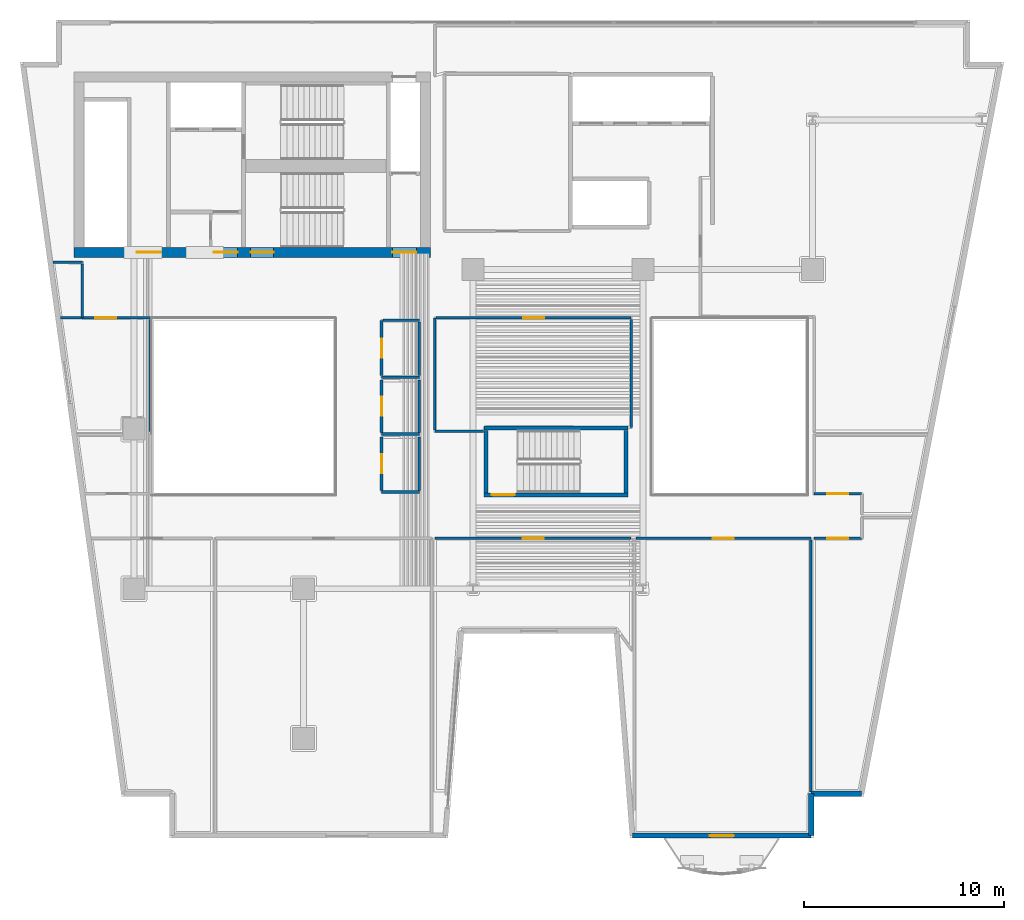
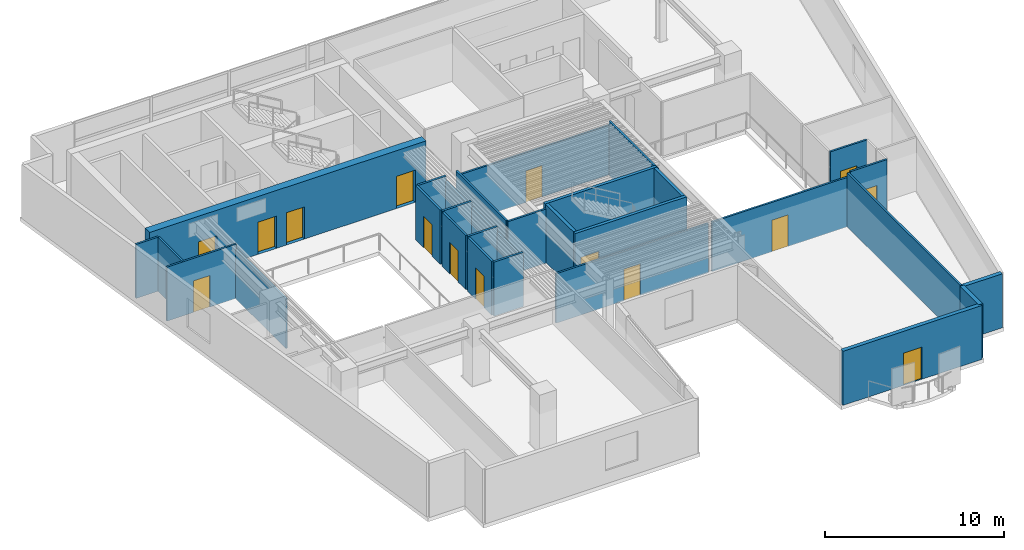
# One storey, part 6 of 13: 31 walls, 15 doors, 15 openings.
"""IFC4 building model written with IfcOpenShell, lengths in metres."""

import ifcopenshell
import ifcopenshell.guid

model = None  # the IFC model being written
_history = None  # IfcOwnerHistory: only IFC2X3 demands one
_inside = {}  # id of a spatial element -> (the spatial element, [elements in it])
_under = {}  # id of a project, library or spatial element -> (it, [spatial elements below it])
_declared = {}  # id of a project -> (the project, [libraries it declares])
_typed = {}  # id of a type object -> (the type object, [elements of that type])
_made_of = {}  # id of a material, layer set ... -> (it, [elements and type objects made of it])


def new_model(schema):
    """Start an empty IFC model of exactly this schema.

    Asked for "IFC4X3", IfcOpenShell would pick the latest addendum, in which some entities
    have other attributes; the version numbers below select the first issue.
    IFC2X3 requires an IfcOwnerHistory on every rooted entity: one is made here for all.
    """
    global model, _history
    if schema == "IFC4X3":
        model = ifcopenshell.file(schema_version=(4, 3, 0, 0))
    else:
        model = ifcopenshell.file(schema=schema)
    _inside.clear()
    _under.clear()
    _declared.clear()
    _typed.clear()
    _made_of.clear()
    _history = None
    if model.schema == "IFC2X3":
        org = make("IfcOrganization", Name="unknown")
        user = make(
            "IfcPersonAndOrganization",
            ThePerson=make("IfcPerson", FamilyName="unknown"),
            TheOrganization=org,
        )
        app = make(
            "IfcApplication",
            ApplicationDeveloper=org,
            Version="unknown",
            ApplicationFullName="unknown",
            ApplicationIdentifier="unknown",
        )
        _history = make(
            "IfcOwnerHistory",
            OwningUser=user,
            OwningApplication=app,
            ChangeAction="ADDED",
            CreationDate=0,
        )
    return model


def make(cls, **values):
    """One entity of the class cls with the attributes given. An attribute that is None is left unset."""
    return model.create_entity(
        cls, **{name: value for name, value in values.items() if value is not None}
    )


def rooted(cls, **values):
    """An entity with a GlobalId (a new one), such as an element, a storey or a relation."""
    return make(cls, GlobalId=ifcopenshell.guid.new(), OwnerHistory=_history, **values)


def si_unit(unit_type, name, prefix=None):
    """IfcSIUnit, for example si_unit("LENGTHUNIT", "METRE", prefix="MILLI")."""
    return make("IfcSIUnit", UnitType=unit_type, Prefix=prefix, Name=name)


def assignment(units):
    """IfcUnitAssignment: the units of a project."""
    return None if units is None else make("IfcUnitAssignment", Units=units)


def point(xyz):
    """IfcCartesianPoint."""
    return None if xyz is None else make("IfcCartesianPoint", Coordinates=xyz)


def direction(xyz):
    """IfcDirection."""
    return None if xyz is None else make("IfcDirection", DirectionRatios=xyz)


def frame(location, z_axis=None, x_axis=None):
    """IfcAxis2Placement3D, a coordinate frame: its origin and axes. An axis left out is left unset."""
    return make(
        "IfcAxis2Placement3D",
        Location=point(location),
        Axis=direction(z_axis),
        RefDirection=direction(x_axis),
    )


def frame_2d(location, x_axis=None):
    """IfcAxis2Placement2D, a coordinate frame in the plane: its origin and x axis."""
    return make(
        "IfcAxis2Placement2D", Location=point(location), RefDirection=direction(x_axis)
    )


def origin():
    """The frame at (0, 0, 0) with its axes left unset."""
    return frame((0.0, 0.0, 0.0))


def place(relative_to, where):
    """IfcLocalPlacement: puts the frame where relative to a parent placement (None: the world)."""
    return make(
        "IfcLocalPlacement", PlacementRelTo=relative_to, RelativePlacement=where
    )


def context(
    kind, dimensions, precision=None, world=None, true_north=None, identifier=None
):
    """IfcGeometricRepresentationContext, for example the 3D "Model" context."""
    return make(
        "IfcGeometricRepresentationContext",
        ContextIdentifier=identifier,
        ContextType=kind,
        CoordinateSpaceDimension=dimensions,
        Precision=precision,
        WorldCoordinateSystem=world,
        TrueNorth=true_north,
    )


def subcontext(parent, identifier, kind, view, scale=None):
    """IfcGeometricRepresentationSubContext, for example "Body" below "Model"."""
    return make(
        "IfcGeometricRepresentationSubContext",
        ContextIdentifier=identifier,
        ContextType=kind,
        ParentContext=parent,
        TargetScale=scale,
        TargetView=view,
    )


def project(units=None, contexts=None):
    """IfcProject with its units and contexts."""
    return rooted(
        "IfcProject",
        Name="project",
        RepresentationContexts=contexts,
        UnitsInContext=assignment(units),
    )


def spatial(cls, under=None, at=None, **own):
    """A site, building, storey or space (cls), placed at a placement, below another one or the project."""
    s = rooted(cls, ObjectPlacement=at, **own)
    if under is not None:
        _under.setdefault(under.id(), (under, []))[1].append(s)
    return s


def profile(cls, at=None, kind="AREA", **sizes):
    """A parametric profile (cls). Its sizes go by their IFC names, for example OverallWidth=200.0."""
    return make(cls, ProfileType=kind, Position=at, **sizes)


def rectangle(**sizes):
    """IfcRectangleProfileDef."""
    return profile("IfcRectangleProfileDef", **sizes)


def extrude(swept, where, along, depth):
    """IfcExtrudedAreaSolid: the profile swept, set in the frame where, extruded along a direction by depth."""
    return make(
        "IfcExtrudedAreaSolid",
        SweptArea=swept,
        Position=where,
        ExtrudedDirection=direction(along),
        Depth=depth,
    )


def shape(context_of_items, identifier, shape_type, items):
    """IfcShapeRepresentation: the items that make up one representation, for example the "Body"."""
    return make(
        "IfcShapeRepresentation",
        ContextOfItems=context_of_items,
        RepresentationIdentifier=identifier,
        RepresentationType=shape_type,
        Items=items,
    )


def material(Name=None, Category=None):
    """IfcMaterial."""
    return make("IfcMaterial", Name=Name, Category=Category)


def layer(
    of_material, thickness, ventilated=None, Name=None, Category=None, Priority=None
):
    """IfcMaterialLayer: one layer of a wall or slab, of a material (None: an air gap)."""
    return make(
        "IfcMaterialLayer",
        Material=of_material,
        LayerThickness=thickness,
        IsVentilated=ventilated,
        Name=Name,
        Category=Category,
        Priority=Priority,
    )


def layer_set(layers, Name=None):
    """IfcMaterialLayerSet."""
    return make("IfcMaterialLayerSet", MaterialLayers=layers, LayerSetName=Name)


def made_of(thing, what):
    """Note that an element or type object is made of a material, layer set ...; save() writes the relation."""
    if what is not None:
        _made_of.setdefault(what.id(), (what, []))[1].append(thing)
    return thing


def type_object(cls, material=None, **own):
    """A type object (cls), such as IfcWallType, which elements share."""
    return made_of(rooted(cls, **own), material)


def element(
    cls,
    number,
    at=None,
    inside=None,
    cuts=None,
    type_object=None,
    material=None,
    context=None,
    identifier="Body",
    shape_type=None,
    held_by="IfcProductDefinitionShape",
    body=None,
    shapes=None,
    **own,
):
    """One element of the class cls, such as IfcWall. Its Tag is "e" and its number.

    at: its placement. inside: the storey or other place that contains it. cuts: it is an
    opening in that element (IfcRelVoidsElement). A single representation is given by context,
    identifier, shape_type and body (its items); several are given by shapes. held_by: the class
    of the entity that holds the representations. save() writes the other relations.
    """
    e = rooted(cls, Tag="e%d" % number, ObjectPlacement=at, **own)
    if body is not None:
        shapes = [shape(context, identifier, shape_type, body)]
    if shapes is not None:
        e.Representation = make(held_by, Representations=shapes)
    if inside is not None:
        _inside.setdefault(inside.id(), (inside, []))[1].append(e)
    if cuts is not None:
        rooted(
            "IfcRelVoidsElement", RelatingBuildingElement=cuts, RelatedOpeningElement=e
        )
    if type_object is not None:
        _typed.setdefault(type_object.id(), (type_object, []))[1].append(e)
    return made_of(e, material)


def fill(opening, filler):
    """IfcRelFillsElement: the door or window that sits in an opening."""
    return rooted(
        "IfcRelFillsElement",
        RelatingOpeningElement=opening,
        RelatedBuildingElement=filler,
    )


def aggregate(whole, parts):
    """IfcRelAggregates: a whole, such as a stair, and the parts it consists of."""
    return rooted("IfcRelAggregates", RelatingObject=whole, RelatedObjects=parts)


def save(model, path):
    """Write the relations noted so far, then the file.

    IfcRelAggregates (storeys below a building ...), IfcRelContainedInSpatialStructure (elements
    in a storey), IfcRelDefinesByType, IfcRelAssociatesMaterial and IfcRelDeclares: one each for
    every whole, place, type object, material and project.
    """
    for whole, parts in _under.values():
        aggregate(whole, parts)
    for where, things in _inside.values():
        rooted(
            "IfcRelContainedInSpatialStructure",
            RelatedElements=things,
            RelatingStructure=where,
        )
    for kind, things in _typed.values():
        rooted("IfcRelDefinesByType", RelatedObjects=things, RelatingType=kind)
    for what, things in _made_of.values():
        rooted("IfcRelAssociatesMaterial", RelatedObjects=things, RelatingMaterial=what)
    for by, libraries in _declared.values():
        rooted("IfcRelDeclares", RelatingContext=by, RelatedDefinitions=libraries)
    model.write(path)


model = new_model("IFC4")

# Units and contexts
model_context = context("Model", 3, precision=1e-05, world=origin(), true_north=direction((0.0, 1.0)))
body_context = subcontext(model_context, "Body", "Model", "MODEL_VIEW")
ifc_project = project(units=[si_unit("LENGTHUNIT", "METRE"), si_unit("AREAUNIT", "SQUARE_METRE"), si_unit("VOLUMEUNIT", "CUBIC_METRE"), si_unit("PLANEANGLEUNIT", "RADIAN"), si_unit("MASSUNIT", "GRAM", prefix="KILO")], contexts=[model_context])

# Site, building, storey
site_placement = place(None, origin())
site = spatial("IfcSite", under=ifc_project, at=site_placement, CompositionType="ELEMENT")
building_placement = place(site_placement, origin())
building = spatial("IfcBuilding", under=site, at=building_placement, Name="Caeloran Harvest Quay", CompositionType="ELEMENT")
storey_placement = place(building_placement, frame((0.0, 0.0, 131.14990234375)))
storey = spatial("IfcBuildingStorey", under=building, at=storey_placement, Name="L30", CompositionType="ELEMENT", Elevation=131.14990234375)

# Walls
ifc_material_1 = material(Name="Precast concrete C50/60", Category="concrete")
ifc_layer_1 = layer(ifc_material_1, 0.260009765625, Name="Precast concrete C50/60")
ifc_layer_set_1 = layer_set([ifc_layer_1], Name="Precast concrete C50/60")
wall_type_1 = type_object("IfcWallType", Name="ENV-WALL-EW-260", PredefinedType="STANDARD", material=ifc_layer_set_1)
wall_1_placement = place(storey_placement, frame((44.96337890625, 4.72998046875, 0.0), z_axis=(0.0, 0.0, 1.0), x_axis=(-1.0, 0.0, 0.0)))
element("IfcWall", 1, at=wall_1_placement, inside=storey, type_object=wall_type_1, Name="L30 Exterior Precast Concrete Facade Wall 10", PredefinedType="STANDARD", context=body_context, shape_type="SweptSolid", body=[
    extrude(rectangle(XDim=2.5234375, YDim=0.260009765625, at=frame_2d((1.26171875, 0.0))), origin(), (0.0, 0.0, 1.0), 3.690185546875),
])
wall_2_placement = place(storey_placement, frame((42.43994140625, 4.72998046875, 0.0), z_axis=(0.0, 0.0, 1.0), x_axis=(0.0, -1.0, 0.0)))
element("IfcWall", 2, at=wall_2_placement, inside=storey, type_object=wall_type_1, Name="L30 Exterior Precast Concrete Facade Wall 11", PredefinedType="STANDARD", context=body_context, shape_type="SweptSolid", body=[
    extrude(rectangle(XDim=2.10009765625, YDim=0.260009765625, at=frame_2d((1.050048828125, 0.0))), origin(), (0.0, 0.0, 1.0), 3.690185546875),
])

# Wall, opening, door
wall_3_placement = place(storey_placement, frame((42.43994140625, 2.6298828125, 0.0), z_axis=(0.0, 0.0, 1.0), x_axis=(-1.0, 0.0, 0.0)))
wall_3 = element("IfcWall", 3, at=wall_3_placement, inside=storey, type_object=wall_type_1, Name="L30 Exterior Precast Concrete Facade Wall 12", PredefinedType="STANDARD", context=body_context, shape_type="SweptSolid", body=[
    extrude(rectangle(XDim=8.96484375, YDim=0.260009765625, at=frame_2d((4.482421875, 0.0))), origin(), (0.0, 0.0, 1.0), 3.690185546875),
])
opening_1_placement = place(wall_3_placement, frame((3.882080078125, 0.0, 0.0)))
opening_1 = element("IfcOpeningElement", 4, at=opening_1_placement, cuts=wall_3, Name="Opening BD-01", PredefinedType="OPENING", context=body_context, shape_type="SweptSolid", body=[
    extrude(rectangle(XDim=1.199951171875, YDim=2.199951171875, at=frame_2d((0.60009765625, 1.10009765625))), frame((0.0, 0.14013671875, 0.0), z_axis=(0.0, -1.0, 0.0), x_axis=(1.0, 0.0, 0.0)), (0.0, 0.0, 1.0), 0.280029296875),
])
ifc_material_2 = material(Name="Thermally Broken Powder-Coated Aluminium and Safety Glass", Category="aluminium")
door_type_1 = type_object("IfcDoorType", Name="EXTDOOR-BD-01", OperationType="NOTDEFINED", PredefinedType="DOOR", material=ifc_material_2)
door_1_placement = place(opening_1_placement, origin())
door_1 = element("IfcDoor", 5, at=door_1_placement, inside=storey, type_object=door_type_1, Name="L30 Planted Balcony Glazed Access Door", OperationType="SINGLE_SWING_LEFT", OverallHeight=2.199951171875, OverallWidth=1.199951171875, PredefinedType="DOOR", context=body_context, shape_type="SweptSolid", body=[
    extrude(rectangle(XDim=1.199951171875, YDim=2.199951171875, at=frame_2d((0.60009765625, 1.10009765625))), frame((0.0, 0.02490234375, 0.0), z_axis=(0.0, -1.0, 0.0), x_axis=(1.0, 0.0, 0.0)), (0.0, 0.0, 1.0), 0.050048828125),
])
fill(opening_1, door_1)

ifc_material_3 = material(Name="Twin-Stud Mineral-Wool Acoustic Gypsum Partition", Category="gypsum")
ifc_layer_2 = layer(ifc_material_3, 0.125, Name="Twin-Stud Mineral-Wool Acoustic Gypsum Partition")
ifc_layer_set_2 = layer_set([ifc_layer_2], Name="Twin-Stud Mineral-Wool Acoustic Gypsum Partition")
wall_type_2 = type_object("IfcWallType", Name="INT-WALL-PW-125", PredefinedType="PARTITIONING", material=ifc_layer_set_2)
wall_4_placement = place(storey_placement, frame((33.6474609375, 17.52001953125, 0.0), z_axis=(0.0, 0.0, 1.0), x_axis=(1.0, 0.0, 0.0)))
wall_4 = element("IfcWall", 6, at=wall_4_placement, inside=storey, type_object=wall_type_2, Name="Controlled-Climate Simulation Lab Partition Wall", PredefinedType="PARTITIONING", context=body_context, shape_type="SweptSolid", body=[
    extrude(rectangle(XDim=8.7724609375, YDim=0.125, at=frame_2d((4.38623046875, 0.0))), origin(), (0.0, 0.0, 1.0), 3.375),
])
opening_2_placement = place(wall_4_placement, frame((3.861328125, 0.0, 0.0)))
opening_2 = element("IfcOpeningElement", 7, at=opening_2_placement, cuts=wall_4, Name="Opening ID-03", PredefinedType="OPENING", context=body_context, shape_type="SweptSolid", body=[
    extrude(rectangle(XDim=1.050048828125, YDim=2.14990234375, at=frame_2d((0.52490234375, 1.074951171875))), frame((0.0, 0.072509765625, 0.0), z_axis=(0.0, -1.0, 0.0), x_axis=(1.0, 0.0, 0.0)), (0.0, 0.0, 1.0), 0.14501953125),
])
ifc_material_4 = material(Name="FSC Solid-Core Oak Timber Leaf", Category="wood")
door_type_2 = type_object("IfcDoorType", Name="INTDOOR-ID-03", OperationType="NOTDEFINED", PredefinedType="DOOR", material=ifc_material_4)
door_2_placement = place(opening_2_placement, origin())
door_2 = element("IfcDoor", 8, at=door_2_placement, inside=storey, type_object=door_type_2, Name="Controlled-Climate Simulation Lab Access Door", OperationType="SINGLE_SWING_RIGHT", OverallHeight=2.14990234375, OverallWidth=1.050048828125, PredefinedType="DOOR", context=body_context, shape_type="SweptSolid", body=[
    extrude(rectangle(XDim=1.050048828125, YDim=2.14990234375, at=frame_2d((0.52490234375, 1.074951171875))), frame((0.0, 0.02490234375, 0.0), z_axis=(0.0, -1.0, 0.0), x_axis=(1.0, 0.0, 0.0)), (0.0, 0.0, 1.0), 0.050048828125),
])
fill(opening_2, door_2)

# Wall
wall_5_placement = place(storey_placement, frame((42.419921875, 17.452392578125, 0.0), z_axis=(0.0, 0.0, 1.0), x_axis=(0.0, -1.0, 0.0)))
element("IfcWall", 9, at=wall_5_placement, inside=storey, type_object=wall_type_2, Name="Controlled-Climate Simulation Lab Partition Wall", PredefinedType="PARTITIONING", context=body_context, shape_type="SweptSolid", body=[
    extrude(rectangle(XDim=12.64794921875, YDim=0.125, at=frame_2d((6.323974609375, 0.0))), origin(), (0.0, 0.0, 1.0), 3.690185546875),
])

# Wall, opening, door
wall_6_placement = place(storey_placement, frame((42.580078125, 17.52001953125, 0.0), z_axis=(0.0, 0.0, 1.0), x_axis=(1.0, 0.0, 0.0)))
wall_6 = element("IfcWall", 10, at=wall_6_placement, inside=storey, type_object=wall_type_2, Name="Bio-Security Compliance Office Partition Wall", PredefinedType="PARTITIONING", context=body_context, shape_type="SweptSolid", body=[
    extrude(rectangle(XDim=2.369873046875, YDim=0.125, at=frame_2d((1.18505859375, 0.0))), origin(), (0.0, 0.0, 1.0), 3.690185546875),
])
opening_3_placement = place(wall_6_placement, frame((0.659912109375, 0.0, 0.0)))
opening_3 = element("IfcOpeningElement", 11, at=opening_3_placement, cuts=wall_6, Name="Opening ID-03", PredefinedType="OPENING", context=body_context, shape_type="SweptSolid", body=[
    extrude(rectangle(XDim=1.050048828125, YDim=2.14990234375, at=frame_2d((0.52490234375, 1.074951171875))), frame((0.0, 0.072509765625, 0.0), z_axis=(0.0, -1.0, 0.0), x_axis=(1.0, 0.0, 0.0)), (0.0, 0.0, 1.0), 0.14501953125),
])
door_3_placement = place(opening_3_placement, origin())
door_3 = element("IfcDoor", 12, at=door_3_placement, inside=storey, type_object=door_type_2, Name="Bio-Security Compliance Office Access Door", OperationType="SINGLE_SWING_RIGHT", OverallHeight=2.14990234375, OverallWidth=1.050048828125, PredefinedType="DOOR", context=body_context, shape_type="SweptSolid", body=[
    extrude(rectangle(XDim=1.050048828125, YDim=2.14990234375, at=frame_2d((0.52490234375, 1.074951171875))), frame((0.0, 0.02490234375, 0.0), z_axis=(0.0, -1.0, 0.0), x_axis=(1.0, 0.0, 0.0)), (0.0, 0.0, 1.0), 0.050048828125),
])
fill(opening_3, door_3)

wall_7_placement = place(storey_placement, frame((23.580078125, 17.52001953125, 0.0), z_axis=(0.0, 0.0, 1.0), x_axis=(1.0, 0.0, 0.0)))
wall_7 = element("IfcWall", 13, at=wall_7_placement, inside=storey, type_object=wall_type_2, Name="Boardroom and Client Briefing Room Partition Wall", PredefinedType="PARTITIONING", context=body_context, shape_type="SweptSolid", body=[
    extrude(rectangle(XDim=9.83984375, YDim=0.125, at=frame_2d((4.919921875, 0.0))), origin(), (0.0, 0.0, 1.0), 3.375),
])
opening_4_placement = place(wall_7_placement, frame((4.39501953125, 0.0, 0.0)))
opening_4 = element("IfcOpeningElement", 14, at=opening_4_placement, cuts=wall_7, Name="Opening ID-03", PredefinedType="OPENING", context=body_context, shape_type="SweptSolid", body=[
    extrude(rectangle(XDim=1.050048828125, YDim=2.14990234375, at=frame_2d((0.52490234375, 1.074951171875))), frame((0.0, 0.072509765625, 0.0), z_axis=(0.0, -1.0, 0.0), x_axis=(1.0, 0.0, 0.0)), (0.0, 0.0, 1.0), 0.14501953125),
])
door_4_placement = place(opening_4_placement, origin())
door_4 = element("IfcDoor", 15, at=door_4_placement, inside=storey, type_object=door_type_2, Name="Boardroom and Client Briefing Room Access Door", OperationType="SINGLE_SWING_LEFT", OverallHeight=2.14990234375, OverallWidth=1.050048828125, PredefinedType="DOOR", context=body_context, shape_type="SweptSolid", body=[
    extrude(rectangle(XDim=1.050048828125, YDim=2.14990234375, at=frame_2d((0.52490234375, 1.074951171875))), frame((0.0, 0.02490234375, 0.0), z_axis=(0.0, -1.0, 0.0), x_axis=(1.0, 0.0, 0.0)), (0.0, 0.0, 1.0), 0.050048828125),
])
fill(opening_4, door_4)

wall_8_placement = place(storey_placement, frame((44.949951171875, 19.75, 0.0), z_axis=(0.0, 0.0, 1.0), x_axis=(-1.0, 0.0, 0.0)))
wall_8 = element("IfcWall", 16, at=wall_8_placement, inside=storey, type_object=wall_type_2, Name="Research Library Study Room Partition Wall", PredefinedType="PARTITIONING", context=body_context, shape_type="SweptSolid", body=[
    extrude(rectangle(XDim=2.369873046875, YDim=0.125, at=frame_2d((1.18505859375, 0.0))), origin(), (0.0, 0.0, 1.0), 3.690185546875),
])
opening_5_placement = place(wall_8_placement, frame((0.659912109375, 0.0, 0.0)))
opening_5 = element("IfcOpeningElement", 17, at=opening_5_placement, cuts=wall_8, Name="Opening ID-03", PredefinedType="OPENING", context=body_context, shape_type="SweptSolid", body=[
    extrude(rectangle(XDim=1.050048828125, YDim=2.14990234375, at=frame_2d((0.52490234375, 1.074951171875))), frame((0.0, 0.072509765625, 0.0), z_axis=(0.0, -1.0, 0.0), x_axis=(1.0, 0.0, 0.0)), (0.0, 0.0, 1.0), 0.14501953125),
])
door_5_placement = place(opening_5_placement, origin())
door_5 = element("IfcDoor", 18, at=door_5_placement, inside=storey, type_object=door_type_2, Name="Research Library Study Room Access Door", OperationType="SINGLE_SWING_RIGHT", OverallHeight=2.14990234375, OverallWidth=1.050048828125, PredefinedType="DOOR", context=body_context, shape_type="SweptSolid", body=[
    extrude(rectangle(XDim=1.050048828125, YDim=2.14990234375, at=frame_2d((0.52490234375, 1.074951171875))), frame((0.0, 0.02490234375, 0.0), z_axis=(0.0, -1.0, 0.0), x_axis=(1.0, 0.0, 0.0)), (0.0, 0.0, 1.0), 0.050048828125),
])
fill(opening_5, door_5)

# Walls
wall_9_placement = place(storey_placement, frame((26.02490234375, 22.8798828125, 0.0), z_axis=(0.0, 0.0, 1.0), x_axis=(-1.0, 0.0, 0.0)))
element("IfcWall", 19, at=wall_9_placement, inside=storey, type_object=wall_type_2, Name="Server Rack Laboratory Partition Wall", PredefinedType="PARTITIONING", context=body_context, shape_type="SweptSolid", body=[
    extrude(rectangle(XDim=2.44482421875, YDim=0.125, at=frame_2d((1.222412109375, 0.0))), origin(), (0.0, 0.0, 1.0), 3.690185546875),
])
wall_10_placement = place(storey_placement, frame((23.580078125, 22.947509765625, 0.0), z_axis=(0.0, 0.0, 1.0), x_axis=(0.0, 1.0, 0.0)))
element("IfcWall", 20, at=wall_10_placement, inside=storey, type_object=wall_type_2, Name="Server Rack Laboratory Partition Wall", PredefinedType="PARTITIONING", context=body_context, shape_type="SweptSolid", body=[
    extrude(rectangle(XDim=5.62255859375, YDim=0.125, at=frame_2d((2.811279296875, 0.0))), origin(), (0.0, 0.0, 1.0), 3.690185546875),
])

# Wall, opening, door
wall_11_placement = place(storey_placement, frame((23.6474609375, 28.570068359375, 0.0), z_axis=(0.0, 0.0, 1.0), x_axis=(1.0, 0.0, 0.0)))
wall_11 = element("IfcWall", 21, at=wall_11_placement, inside=storey, type_object=wall_type_2, Name="Server Rack Laboratory Partition Wall", PredefinedType="PARTITIONING", context=body_context, shape_type="SweptSolid", body=[
    extrude(rectangle(XDim=9.7724609375, YDim=0.125, at=frame_2d((4.88623046875, 0.0))), origin(), (0.0, 0.0, 1.0), 3.375),
])
opening_6_placement = place(wall_11_placement, frame((4.361328125, 0.0, 0.0)))
opening_6 = element("IfcOpeningElement", 22, at=opening_6_placement, cuts=wall_11, Name="Opening ID-03", PredefinedType="OPENING", context=body_context, shape_type="SweptSolid", body=[
    extrude(rectangle(XDim=1.050048828125, YDim=2.14990234375, at=frame_2d((0.52490234375, 1.074951171875))), frame((0.0, 0.072509765625, 0.0), z_axis=(0.0, -1.0, 0.0), x_axis=(1.0, 0.0, 0.0)), (0.0, 0.0, 1.0), 0.14501953125),
])
door_6_placement = place(opening_6_placement, origin())
door_6 = element("IfcDoor", 23, at=door_6_placement, inside=storey, type_object=door_type_2, Name="Server Rack Laboratory Access Door", OperationType="SINGLE_SWING_RIGHT", OverallHeight=2.14990234375, OverallWidth=1.050048828125, PredefinedType="DOOR", context=body_context, shape_type="SweptSolid", body=[
    extrude(rectangle(XDim=1.050048828125, YDim=2.14990234375, at=frame_2d((0.52490234375, 1.074951171875))), frame((0.0, 0.02490234375, 0.0), z_axis=(0.0, -1.0, 0.0), x_axis=(1.0, 0.0, 0.0)), (0.0, 0.0, 1.0), 0.050048828125),
])
fill(opening_6, door_6)

# Walls
wall_12_placement = place(storey_placement, frame((33.419921875, 28.50244140625, 0.0), z_axis=(0.0, 0.0, 1.0), x_axis=(0.0, -1.0, 0.0)))
element("IfcWall", 24, at=wall_12_placement, inside=storey, type_object=wall_type_2, Name="Server Rack Laboratory Partition Wall", PredefinedType="PARTITIONING", context=body_context, shape_type="SweptSolid", body=[
    extrude(rectangle(XDim=5.42236328125, YDim=0.125, at=frame_2d((2.711181640625, 0.0))), origin(), (0.0, 0.0, 1.0), 3.690185546875),
])
wall_13_placement = place(storey_placement, frame((4.44775390625, 31.35009765625, 0.0), z_axis=(0.0, 0.0, 1.0), x_axis=(1.0, 0.0, 0.0)))
element("IfcWall", 25, at=wall_13_placement, inside=storey, type_object=wall_type_2, Name="Precision Agriculture Engineering Office 9 Partition Wall", PredefinedType="PARTITIONING", context=body_context, shape_type="SweptSolid", body=[
    extrude(rectangle(XDim=1.47216796875, YDim=0.125, at=frame_2d((0.736083984375, 0.0))), origin(), (0.0, 0.0, 1.0), 3.690185546875),
])
wall_14_placement = place(storey_placement, frame((5.919921875, 31.282470703125, 0.0), z_axis=(0.0, 0.0, 1.0), x_axis=(0.0, -1.0, 0.0)))
element("IfcWall", 26, at=wall_14_placement, inside=storey, type_object=wall_type_2, Name="Precision Agriculture Engineering Office 9 Partition Wall", PredefinedType="PARTITIONING", context=body_context, shape_type="SweptSolid", body=[
    extrude(rectangle(XDim=2.682373046875, YDim=0.125, at=frame_2d((1.34130859375, 0.0))), origin(), (0.0, 0.0, 1.0), 3.690185546875),
])

# Wall, opening, door
wall_15_placement = place(storey_placement, frame((4.832275390625, 28.570068359375, 0.0), z_axis=(0.0, 0.0, 1.0), x_axis=(1.0, 0.0, 0.0)))
wall_15 = element("IfcWall", 27, at=wall_15_placement, inside=storey, type_object=wall_type_2, Name="Precision Agriculture Engineering Office 9 Partition Wall", PredefinedType="PARTITIONING", context=body_context, shape_type="SweptSolid", body=[
    extrude(rectangle(XDim=4.48779296875, YDim=0.125, at=frame_2d((2.243896484375, 0.0))), origin(), (0.0, 0.0, 1.0), 3.690185546875),
])
opening_7_placement = place(wall_15_placement, frame((1.718994140625, 0.0, 0.0)))
opening_7 = element("IfcOpeningElement", 28, at=opening_7_placement, cuts=wall_15, Name="Opening ID-03", PredefinedType="OPENING", context=body_context, shape_type="SweptSolid", body=[
    extrude(rectangle(XDim=1.050048828125, YDim=2.14990234375, at=frame_2d((0.52490234375, 1.074951171875))), frame((0.0, 0.072509765625, 0.0), z_axis=(0.0, -1.0, 0.0), x_axis=(1.0, 0.0, 0.0)), (0.0, 0.0, 1.0), 0.14501953125),
])
door_7_placement = place(opening_7_placement, origin())
door_7 = element("IfcDoor", 29, at=door_7_placement, inside=storey, type_object=door_type_2, Name="Precision Agriculture Engineering Office 9 Access Door", OperationType="SINGLE_SWING_LEFT", OverallHeight=2.14990234375, OverallWidth=1.050048828125, PredefinedType="DOOR", context=body_context, shape_type="SweptSolid", body=[
    extrude(rectangle(XDim=1.050048828125, YDim=2.14990234375, at=frame_2d((0.52490234375, 1.074951171875))), frame((0.0, 0.02490234375, 0.0), z_axis=(0.0, -1.0, 0.0), x_axis=(1.0, 0.0, 0.0)), (0.0, 0.0, 1.0), 0.050048828125),
])
fill(opening_7, door_7)

# Walls
wall_16_placement = place(storey_placement, frame((9.320068359375, 28.50244140625, 0.0), z_axis=(0.0, 0.0, 1.0), x_axis=(0.0, -1.0, 0.0)))
element("IfcWall", 30, at=wall_16_placement, inside=storey, type_object=wall_type_2, Name="Precision Agriculture Engineering Office 9 Partition Wall", PredefinedType="PARTITIONING", context=body_context, shape_type="SweptSolid", body=[
    extrude(rectangle(XDim=5.62255859375, YDim=0.125, at=frame_2d((2.811279296875, 0.0))), origin(), (0.0, 0.0, 1.0), 3.375),
])
ifc_material_5 = material(Name="Moisture-Resistant Cement-Board Sanitary Partition", Category="gypsum")
ifc_layer_3 = layer(ifc_material_5, 0.139892578125, Name="Moisture-Resistant Cement-Board Sanitary Partition")
ifc_layer_set_3 = layer_set([ifc_layer_3], Name="Moisture-Resistant Cement-Board Sanitary Partition")
wall_type_3 = type_object("IfcWallType", Name="INT-WALL-PW-140", PredefinedType="PARTITIONING", material=ifc_layer_set_3)
wall_17_placement = place(storey_placement, frame((22.800048828125, 25.60009765625, 0.0), z_axis=(0.0, 0.0, 1.0), x_axis=(-1.0, 0.0, 0.0)))
element("IfcWall", 31, at=wall_17_placement, inside=storey, type_object=wall_type_3, Name="L30 Male Washroom WC Partition Wall", PredefinedType="PARTITIONING", context=body_context, shape_type="SweptSolid", body=[
    extrude(rectangle(XDim=1.89013671875, YDim=0.139892578125, at=frame_2d((0.945068359375, 0.0))), origin(), (0.0, 0.0, 1.0), 3.690185546875),
])

# Wall, opening, door
wall_18_placement = place(storey_placement, frame((20.909912109375, 25.675048828125, 0.0), z_axis=(0.0, 0.0, 1.0), x_axis=(0.0, 1.0, 0.0)))
wall_18 = element("IfcWall", 32, at=wall_18_placement, inside=storey, type_object=wall_type_3, Name="L30 Male Washroom WC Partition Wall", PredefinedType="PARTITIONING", context=body_context, shape_type="SweptSolid", body=[
    extrude(rectangle(XDim=2.77490234375, YDim=0.139892578125, at=frame_2d((1.387451171875, 0.0))), origin(), (0.0, 0.0, 1.0), 3.690185546875),
])
opening_8_placement = place(wall_18_placement, frame((0.91259765625, 0.0, 0.0)))
opening_8 = element("IfcOpeningElement", 33, at=opening_8_placement, cuts=wall_18, Name="Opening WC-01", PredefinedType="OPENING", context=body_context, shape_type="SweptSolid", body=[
    extrude(rectangle(XDim=0.949951171875, YDim=2.14990234375, at=frame_2d((0.47509765625, 1.074951171875))), frame((0.0, 0.080078125, 0.0), z_axis=(0.0, -1.0, 0.0), x_axis=(1.0, 0.0, 0.0)), (0.0, 0.0, 1.0), 0.159912109375),
])
ifc_material_6 = material(Name="High-Pressure Laminate Moisture-Resistant Timber", Category="wood")
door_type_3 = type_object("IfcDoorType", Name="INTDOOR-WC-01", OperationType="NOTDEFINED", PredefinedType="DOOR", material=ifc_material_6)
door_8_placement = place(opening_8_placement, origin())
door_8 = element("IfcDoor", 34, at=door_8_placement, inside=storey, type_object=door_type_3, Name="L30 Male Washroom WC Access Door", OperationType="SINGLE_SWING_RIGHT", OverallHeight=2.14990234375, OverallWidth=0.949951171875, PredefinedType="DOOR", context=body_context, shape_type="SweptSolid", body=[
    extrude(rectangle(XDim=0.949951171875, YDim=2.14990234375, at=frame_2d((0.47509765625, 1.074951171875))), frame((0.0, 0.02490234375, 0.0), z_axis=(0.0, -1.0, 0.0), x_axis=(1.0, 0.0, 0.0)), (0.0, 0.0, 1.0), 0.050048828125),
])
fill(opening_8, door_8)

# Walls
wall_19_placement = place(storey_placement, frame((20.985107421875, 28.449951171875, 0.0), z_axis=(0.0, 0.0, 1.0), x_axis=(1.0, 0.0, 0.0)))
element("IfcWall", 35, at=wall_19_placement, inside=storey, type_object=wall_type_3, Name="L30 Male Washroom WC Partition Wall", PredefinedType="PARTITIONING", context=body_context, shape_type="SweptSolid", body=[
    extrude(rectangle(XDim=1.81494140625, YDim=0.139892578125, at=frame_2d((0.907470703125, 0.0))), origin(), (0.0, 0.0, 1.0), 3.690185546875),
])
wall_20_placement = place(storey_placement, frame((22.800048828125, 28.375, 0.0), z_axis=(0.0, 0.0, 1.0), x_axis=(0.0, -1.0, 0.0)))
element("IfcWall", 36, at=wall_20_placement, inside=storey, type_object=wall_type_3, Name="L30 Male Washroom WC Partition Wall", PredefinedType="PARTITIONING", context=body_context, shape_type="SweptSolid", body=[
    extrude(rectangle(XDim=2.699951171875, YDim=0.139892578125, at=frame_2d((1.35009765625, 0.0))), origin(), (0.0, 0.0, 1.0), 3.375),
])
wall_21_placement = place(storey_placement, frame((22.800048828125, 22.75, 0.0), z_axis=(0.0, 0.0, 1.0), x_axis=(-1.0, 0.0, 0.0)))
element("IfcWall", 37, at=wall_21_placement, inside=storey, type_object=wall_type_3, Name="L30 Female Washroom WC Partition Wall", PredefinedType="PARTITIONING", context=body_context, shape_type="SweptSolid", body=[
    extrude(rectangle(XDim=1.89013671875, YDim=0.139892578125, at=frame_2d((0.945068359375, 0.0))), origin(), (0.0, 0.0, 1.0), 3.690185546875),
])

# Wall, opening, door
wall_22_placement = place(storey_placement, frame((20.909912109375, 22.824951171875, 0.0), z_axis=(0.0, 0.0, 1.0), x_axis=(0.0, 1.0, 0.0)))
wall_22 = element("IfcWall", 38, at=wall_22_placement, inside=storey, type_object=wall_type_3, Name="L30 Female Washroom WC Partition Wall", PredefinedType="PARTITIONING", context=body_context, shape_type="SweptSolid", body=[
    extrude(rectangle(XDim=2.625, YDim=0.139892578125, at=frame_2d((1.3125, 0.0))), origin(), (0.0, 0.0, 1.0), 3.690185546875),
])
opening_9_placement = place(wall_22_placement, frame((0.83740234375, 0.0, 0.0)))
opening_9 = element("IfcOpeningElement", 39, at=opening_9_placement, cuts=wall_22, Name="Opening WC-01", PredefinedType="OPENING", context=body_context, shape_type="SweptSolid", body=[
    extrude(rectangle(XDim=0.949951171875, YDim=2.14990234375, at=frame_2d((0.47509765625, 1.074951171875))), frame((0.0, 0.080078125, 0.0), z_axis=(0.0, -1.0, 0.0), x_axis=(1.0, 0.0, 0.0)), (0.0, 0.0, 1.0), 0.159912109375),
])
door_9_placement = place(opening_9_placement, origin())
door_9 = element("IfcDoor", 40, at=door_9_placement, inside=storey, type_object=door_type_3, Name="L30 Female Washroom WC Access Door", OperationType="SINGLE_SWING_LEFT", OverallHeight=2.14990234375, OverallWidth=0.949951171875, PredefinedType="DOOR", context=body_context, shape_type="SweptSolid", body=[
    extrude(rectangle(XDim=0.949951171875, YDim=2.14990234375, at=frame_2d((0.47509765625, 1.074951171875))), frame((0.0, 0.02490234375, 0.0), z_axis=(0.0, -1.0, 0.0), x_axis=(1.0, 0.0, 0.0)), (0.0, 0.0, 1.0), 0.050048828125),
])
fill(opening_9, door_9)

# Walls
wall_23_placement = place(storey_placement, frame((22.800048828125, 25.449951171875, 0.0), z_axis=(0.0, 0.0, 1.0), x_axis=(0.0, -1.0, 0.0)))
element("IfcWall", 41, at=wall_23_placement, inside=storey, type_object=wall_type_3, Name="L30 Female Washroom WC Partition Wall", PredefinedType="PARTITIONING", context=body_context, shape_type="SweptSolid", body=[
    extrude(rectangle(XDim=2.625, YDim=0.139892578125, at=frame_2d((1.3125, 0.0))), origin(), (0.0, 0.0, 1.0), 3.375),
])
wall_24_placement = place(storey_placement, frame((22.800048828125, 19.85009765625, 0.0), z_axis=(0.0, 0.0, 1.0), x_axis=(-1.0, 0.0, 0.0)))
element("IfcWall", 42, at=wall_24_placement, inside=storey, type_object=wall_type_3, Name="L30 Accessible Unisex Washroom WC Partition Wall", PredefinedType="PARTITIONING", context=body_context, shape_type="SweptSolid", body=[
    extrude(rectangle(XDim=1.89013671875, YDim=0.139892578125, at=frame_2d((0.945068359375, 0.0))), origin(), (0.0, 0.0, 1.0), 3.690185546875),
])

# Wall, opening, door
wall_25_placement = place(storey_placement, frame((20.909912109375, 19.925048828125, 0.0), z_axis=(0.0, 0.0, 1.0), x_axis=(0.0, 1.0, 0.0)))
wall_25 = element("IfcWall", 43, at=wall_25_placement, inside=storey, type_object=wall_type_3, Name="L30 Accessible Unisex Washroom WC Partition Wall", PredefinedType="PARTITIONING", context=body_context, shape_type="SweptSolid", body=[
    extrude(rectangle(XDim=2.675048828125, YDim=0.139892578125, at=frame_2d((1.33740234375, 0.0))), origin(), (0.0, 0.0, 1.0), 3.690185546875),
])
opening_10_placement = place(wall_25_placement, frame((0.862548828125, 0.0, 0.0)))
opening_10 = element("IfcOpeningElement", 44, at=opening_10_placement, cuts=wall_25, Name="Opening WC-01", PredefinedType="OPENING", context=body_context, shape_type="SweptSolid", body=[
    extrude(rectangle(XDim=0.949951171875, YDim=2.14990234375, at=frame_2d((0.47509765625, 1.074951171875))), frame((0.0, 0.080078125, 0.0), z_axis=(0.0, -1.0, 0.0), x_axis=(1.0, 0.0, 0.0)), (0.0, 0.0, 1.0), 0.159912109375),
])
door_10_placement = place(opening_10_placement, origin())
door_10 = element("IfcDoor", 45, at=door_10_placement, inside=storey, type_object=door_type_3, Name="L30 Accessible Unisex Washroom WC Access Door", OperationType="SINGLE_SWING_RIGHT", OverallHeight=2.14990234375, OverallWidth=0.949951171875, PredefinedType="DOOR", context=body_context, shape_type="SweptSolid", body=[
    extrude(rectangle(XDim=0.949951171875, YDim=2.14990234375, at=frame_2d((0.47509765625, 1.074951171875))), frame((0.0, 0.02490234375, 0.0), z_axis=(0.0, -1.0, 0.0), x_axis=(1.0, 0.0, 0.0)), (0.0, 0.0, 1.0), 0.050048828125),
])
fill(opening_10, door_10)

# Wall
wall_26_placement = place(storey_placement, frame((22.800048828125, 22.60009765625, 0.0), z_axis=(0.0, 0.0, 1.0), x_axis=(0.0, -1.0, 0.0)))
element("IfcWall", 46, at=wall_26_placement, inside=storey, type_object=wall_type_3, Name="L30 Accessible Unisex Washroom WC Partition Wall", PredefinedType="PARTITIONING", context=body_context, shape_type="SweptSolid", body=[
    extrude(rectangle(XDim=2.675048828125, YDim=0.139892578125, at=frame_2d((1.33740234375, 0.0))), origin(), (0.0, 0.0, 1.0), 3.375),
])

# Wall, openings, doors
ifc_material_7 = material(Name="Concrete C70/85", Category="concrete")
ifc_layer_4 = layer(ifc_material_7, 0.5, Name="Concrete C70/85")
ifc_layer_set_4 = layer_set([ifc_layer_4], Name="Concrete C70/85")
wall_type_4 = type_object("IfcWallType", Name="STR-WALL-CW-500", PredefinedType="SHEAR", material=ifc_layer_set_4)
wall_27_placement = place(storey_placement, frame((5.5, 31.85009765625, 0.0), z_axis=(0.0, 0.0, 1.0), x_axis=(1.0, 0.0, 0.0)))
wall_27 = element("IfcWall", 47, at=wall_27_placement, inside=storey, type_object=wall_type_4, Name="L30 Rear Core Shear Wall S", PredefinedType="SHEAR", context=body_context, shape_type="SweptSolid", body=[
    extrude(rectangle(XDim=17.85009765625, YDim=0.5, at=frame_2d((8.925048828125, 0.0))), origin(), (0.0, 0.0, 1.0), 3.9501953125),
])
opening_11_placement = place(wall_27_placement, frame((3.14990234375, 0.0, 0.0)))
opening_11 = element("IfcOpeningElement", 48, at=opening_11_placement, cuts=wall_27, Name="Opening FD-01", PredefinedType="OPENING", context=body_context, shape_type="SweptSolid", body=[
    extrude(rectangle(XDim=1.199951171875, YDim=2.199951171875, at=frame_2d((0.60009765625, 1.10009765625))), frame((0.0, 0.260009765625, 0.0), z_axis=(0.0, -1.0, 0.0), x_axis=(1.0, 0.0, 0.0)), (0.0, 0.0, 1.0), 0.52001953125),
])
opening_12_placement = place(wall_27_placement, frame((7.0, 0.0, 0.0)))
opening_12 = element("IfcOpeningElement", 49, at=opening_12_placement, cuts=wall_27, Name="Opening FD-01", PredefinedType="OPENING", context=body_context, shape_type="SweptSolid", body=[
    extrude(rectangle(XDim=1.199951171875, YDim=2.199951171875, at=frame_2d((0.60009765625, 1.10009765625))), frame((0.0, 0.260009765625, 0.0), z_axis=(0.0, -1.0, 0.0), x_axis=(1.0, 0.0, 0.0)), (0.0, 0.0, 1.0), 0.52001953125),
])
opening_13_placement = place(wall_27_placement, frame((8.85009765625, 0.0, 0.0)))
opening_13 = element("IfcOpeningElement", 50, at=opening_13_placement, cuts=wall_27, Name="Opening SD-01", PredefinedType="OPENING", context=body_context, shape_type="SweptSolid", body=[
    extrude(rectangle(XDim=1.14990234375, YDim=2.199951171875, at=frame_2d((0.574951171875, 1.10009765625))), frame((0.0, 0.260009765625, 0.0), z_axis=(0.0, -1.0, 0.0), x_axis=(1.0, 0.0, 0.0)), (0.0, 0.0, 1.0), 0.52001953125),
])
opening_14_placement = place(wall_27_placement, frame((15.949951171875, 0.0, 0.0)))
opening_14 = element("IfcOpeningElement", 51, at=opening_14_placement, cuts=wall_27, Name="Opening FD-01", PredefinedType="OPENING", context=body_context, shape_type="SweptSolid", body=[
    extrude(rectangle(XDim=1.199951171875, YDim=2.199951171875, at=frame_2d((0.60009765625, 1.10009765625))), frame((0.0, 0.260009765625, 0.0), z_axis=(0.0, -1.0, 0.0), x_axis=(1.0, 0.0, 0.0)), (0.0, 0.0, 1.0), 0.52001953125),
])
ifc_material_8 = material(Name="Steel", Category="steel")
door_type_4 = type_object("IfcDoorType", Name="INTDOOR-FD-01", OperationType="NOTDEFINED", PredefinedType="DOOR", material=ifc_material_8)
door_11_placement = place(opening_11_placement, origin())
door_11 = element("IfcDoor", 52, at=door_11_placement, inside=storey, type_object=door_type_4, Name="L30 High-Rise Lift Lobby Fire Door", OperationType="SINGLE_SWING_LEFT", OverallHeight=2.199951171875, OverallWidth=1.199951171875, PredefinedType="DOOR", context=body_context, shape_type="SweptSolid", body=[
    extrude(rectangle(XDim=1.199951171875, YDim=2.199951171875, at=frame_2d((0.60009765625, 1.10009765625))), frame((0.0, 0.02490234375, 0.0), z_axis=(0.0, -1.0, 0.0), x_axis=(1.0, 0.0, 0.0)), (0.0, 0.0, 1.0), 0.050048828125),
])
fill(opening_11, door_11)
door_12_placement = place(opening_12_placement, origin())
door_12 = element("IfcDoor", 53, at=door_12_placement, inside=storey, type_object=door_type_4, Name="L30 Firefighting Lobby Vestibule Fire Door", OperationType="SINGLE_SWING_RIGHT", OverallHeight=2.199951171875, OverallWidth=1.199951171875, PredefinedType="DOOR", context=body_context, shape_type="SweptSolid", body=[
    extrude(rectangle(XDim=1.199951171875, YDim=2.199951171875, at=frame_2d((0.60009765625, 1.10009765625))), frame((0.0, 0.02490234375, 0.0), z_axis=(0.0, -1.0, 0.0), x_axis=(1.0, 0.0, 0.0)), (0.0, 0.0, 1.0), 0.050048828125),
])
fill(opening_12, door_12)
door_13_placement = place(opening_14_placement, origin())
door_13 = element("IfcDoor", 54, at=door_13_placement, inside=storey, type_object=door_type_4, Name="L30 Service Lift Lobby Fire Door", OperationType="SINGLE_SWING_RIGHT", OverallHeight=2.199951171875, OverallWidth=1.199951171875, PredefinedType="DOOR", context=body_context, shape_type="SweptSolid", body=[
    extrude(rectangle(XDim=1.199951171875, YDim=2.199951171875, at=frame_2d((0.60009765625, 1.10009765625))), frame((0.0, 0.02490234375, 0.0), z_axis=(0.0, -1.0, 0.0), x_axis=(1.0, 0.0, 0.0)), (0.0, 0.0, 1.0), 0.050048828125),
])
fill(opening_14, door_13)
door_type_5 = type_object("IfcDoorType", Name="INTDOOR-SD-01", OperationType="NOTDEFINED", PredefinedType="DOOR", material=ifc_material_8)
door_14_placement = place(opening_13_placement, origin())
door_14 = element("IfcDoor", 55, at=door_14_placement, inside=storey, type_object=door_type_5, Name="L30 Protected Stair ST-C2 Exit Door", OperationType="SINGLE_SWING_LEFT", OverallHeight=2.199951171875, OverallWidth=1.14990234375, PredefinedType="DOOR", context=body_context, shape_type="SweptSolid", body=[
    extrude(rectangle(XDim=1.14990234375, YDim=2.199951171875, at=frame_2d((0.574951171875, 1.10009765625))), frame((0.0, 0.02490234375, 0.0), z_axis=(0.0, -1.0, 0.0), x_axis=(1.0, 0.0, 0.0)), (0.0, 0.0, 1.0), 0.050048828125),
])
fill(opening_13, door_14)

# Wall, opening, door
ifc_material_9 = material(Name="Concrete C60/75", Category="concrete")
ifc_layer_5 = layer(ifc_material_9, 0.199951171875, Name="Concrete C60/75")
ifc_layer_set_5 = layer_set([ifc_layer_5], Name="Concrete C60/75")
wall_type_5 = type_object("IfcWallType", Name="STR-WALL-SW-200", PredefinedType="SHEAR", material=ifc_layer_set_5)
wall_28_placement = place(storey_placement, frame((26.050048828125, 19.699951171875, 0.0), z_axis=(0.0, 0.0, 1.0), x_axis=(1.0, 0.0, 0.0)))
wall_28 = element("IfcWall", 56, at=wall_28_placement, inside=storey, type_object=wall_type_5, Name="L30 Stair ST-W1 S RC Shaft Shear Wall", PredefinedType="SHEAR", context=body_context, shape_type="SweptSolid", body=[
    extrude(rectangle(XDim=7.199951171875, YDim=0.199951171875, at=frame_2d((3.60009765625, 0.0))), origin(), (0.0, 0.0, 1.0), 3.9501953125),
])
opening_15_placement = place(wall_28_placement, frame((0.3798828125, 0.0, 0.0)))
opening_15 = element("IfcOpeningElement", 57, at=opening_15_placement, cuts=wall_28, Name="Opening SD-01", PredefinedType="OPENING", context=body_context, shape_type="SweptSolid", body=[
    extrude(rectangle(XDim=1.14990234375, YDim=2.199951171875, at=frame_2d((0.574951171875, 1.10009765625))), frame((0.0, 0.10986328125, 0.0), z_axis=(0.0, -1.0, 0.0), x_axis=(1.0, 0.0, 0.0)), (0.0, 0.0, 1.0), 0.219970703125),
])
door_15_placement = place(opening_15_placement, origin())
door_15 = element("IfcDoor", 58, at=door_15_placement, inside=storey, type_object=door_type_5, Name="L30 Protected Exit Stair ST-W1 Fire Door", OperationType="SINGLE_SWING_RIGHT", OverallHeight=2.199951171875, OverallWidth=1.14990234375, PredefinedType="DOOR", context=body_context, shape_type="SweptSolid", body=[
    extrude(rectangle(XDim=1.14990234375, YDim=2.199951171875, at=frame_2d((0.574951171875, 1.10009765625))), frame((0.0, 0.02490234375, 0.0), z_axis=(0.0, -1.0, 0.0), x_axis=(1.0, 0.0, 0.0)), (0.0, 0.0, 1.0), 0.050048828125),
])
fill(opening_15, door_15)

# Walls
wall_29_placement = place(storey_placement, frame((26.050048828125, 23.050048828125, 0.0), z_axis=(0.0, 0.0, 1.0), x_axis=(1.0, 0.0, 0.0)))
element("IfcWall", 59, at=wall_29_placement, inside=storey, type_object=wall_type_5, Name="L30 Stair ST-W1 N RC Shaft Shear Wall", PredefinedType="SHEAR", context=body_context, shape_type="SweptSolid", body=[
    extrude(rectangle(XDim=7.199951171875, YDim=0.199951171875, at=frame_2d((3.60009765625, 0.0))), origin(), (0.0, 0.0, 1.0), 3.9501953125),
])
for number, where, z_axis, x_axis, name in (
    (60, (26.14990234375, 19.81005859375, 0.0), (0.0, 0.0, 1.0), (0.0, 1.0, 0.0), "L30 Stair ST-W1 W RC Shaft Shear Wall"),
    (61, (33.14990234375, 19.81005859375, 0.0), (0.0, 0.0, 1.0), (0.0, 1.0, 0.0), "L30 Stair ST-W1 E RC Shaft Shear Wall"),
):
    element("IfcWall", number, at=place(storey_placement, frame(where, z_axis=z_axis, x_axis=x_axis)), inside=storey, type_object=wall_type_5, Name=name, PredefinedType="SHEAR", context=body_context, shape_type="SweptSolid", body=[
        extrude(rectangle(XDim=3.1298828125, YDim=0.199951171875, at=frame_2d((1.56494140625, 0.0))), origin(), (0.0, 0.0, 1.0), 3.9501953125),
    ])

save(model, "model.ifc")
